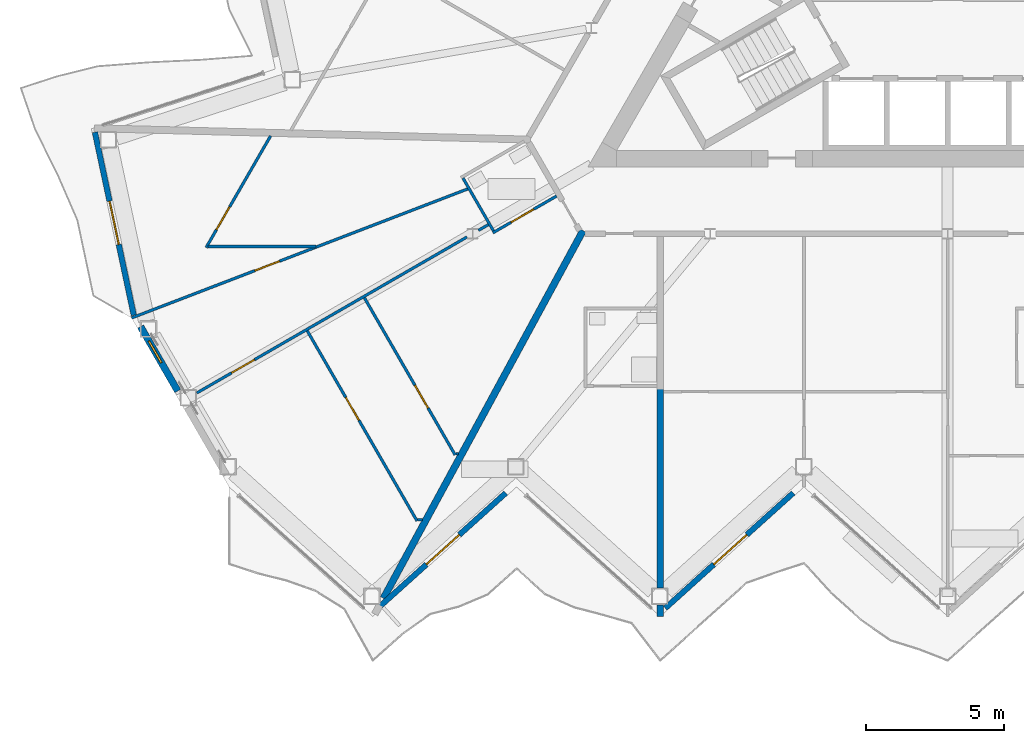
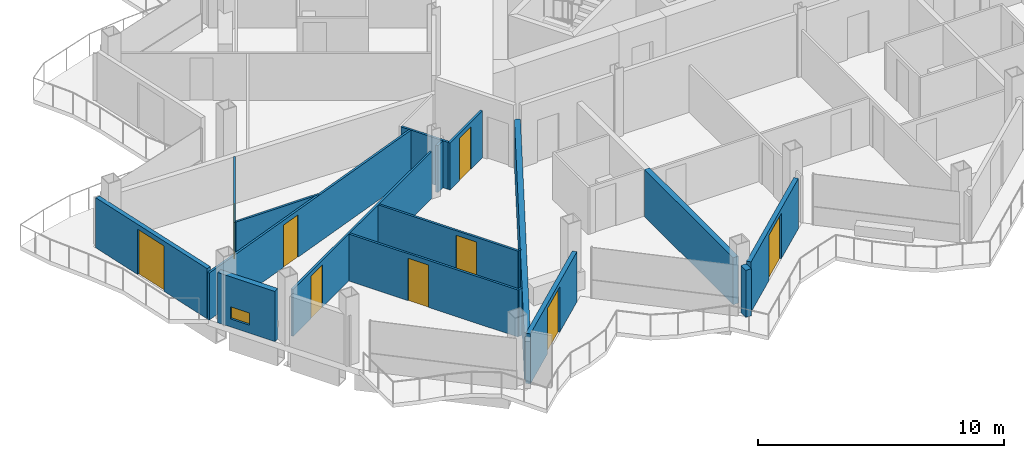
# One storey, part 13 of 28: 18 walls, 9 doors, 1 window, 10 openings.
"""IFC4 building model written with IfcOpenShell, lengths in metres."""

from ifc_helpers import new_model, si_unit, direction, frame, frame_2d, origin, place, context, subcontext, project, spatial, rectangle, extrude, material, layer, layer_set, type_object, element, fill, save


model = new_model("IFC4")

# Units and contexts
model_context = context("Model", 3, precision=1e-05, world=origin(), true_north=direction((0.0, 1.0)))
body_context = subcontext(model_context, "Body", "Model", "MODEL_VIEW")
ifc_project = project(units=[si_unit("LENGTHUNIT", "METRE"), si_unit("AREAUNIT", "SQUARE_METRE"), si_unit("VOLUMEUNIT", "CUBIC_METRE"), si_unit("PLANEANGLEUNIT", "RADIAN"), si_unit("MASSUNIT", "GRAM", prefix="KILO")], contexts=[model_context])

# Site, building, storey
site_placement = place(None, origin())
site = spatial("IfcSite", under=ifc_project, at=site_placement, CompositionType="ELEMENT")
building_placement = place(site_placement, origin())
building = spatial("IfcBuilding", under=site, at=building_placement, Name="Cormorant Prow Tower", CompositionType="ELEMENT")
storey_placement = place(building_placement, frame((0.0, 0.0, 301.800048828125)))
storey = spatial("IfcBuildingStorey", under=building, at=storey_placement, Name="L65", CompositionType="ELEMENT", Elevation=301.800048828125)

# Wall, opening, door
ifc_material_1 = material(Name="Gypsum board partition")
ifc_layer_1 = layer(ifc_material_1, 0.10009765625)
ifc_layer_set_1 = layer_set([ifc_layer_1], Name="Gypsum board partition")
wall_type_1 = type_object("IfcWallType", Name="Internal partition 100", PredefinedType="PARTITIONING", material=ifc_layer_set_1)
wall_1_placement = place(storey_placement, frame((-29.4794921875, -12.949951171875, 0.0), z_axis=(0.0, 0.0, 1.0), x_axis=(0.933581523131, 0.358365092703, 0.0)))
wall_1 = element("IfcWall", 1, at=wall_1_placement, inside=storey, type_object=wall_type_1, Name="Internal partition", PredefinedType="PARTITIONING", context=body_context, shape_type="SweptSolid", body=[
    extrude(rectangle(XDim=13.004638671875, YDim=0.10009765625, at=frame_2d((6.50244140625, 0.0))), origin(), (0.0, 0.0, 1.0), 2.330078125),
])
opening_1_placement = place(wall_1_placement, frame((4.771240234375, 0.0, 0.0)))
opening_1 = element("IfcOpeningElement", 2, at=opening_1_placement, cuts=wall_1, Name="Opening L65-F56", PredefinedType="OPENING", context=body_context, shape_type="SweptSolid", body=[
    extrude(rectangle(XDim=0.949951171875, YDim=2.10009765625, at=frame_2d((0.47509765625, 1.050048828125))), frame((0.0, 0.06005859375, 0.0), z_axis=(0.0, -1.0, 0.0), x_axis=(1.0, 0.0, 0.0)), (0.0, 0.0, 1.0), 0.1201171875),
])
ifc_material_2 = material(Name="Timber door leaf", Category="wood")
door_type_1 = type_object("IfcDoorType", Name="Bathroom door 950x2100", OperationType="NOTDEFINED", PredefinedType="DOOR", material=ifc_material_2)
door_1_placement = place(opening_1_placement, origin())
door_1 = element("IfcDoor", 3, at=door_1_placement, inside=storey, type_object=door_type_1, Name="Bedroom door", OperationType="SINGLE_SWING_LEFT", OverallHeight=2.10009765625, OverallWidth=0.949951171875, PredefinedType="DOOR", context=body_context, shape_type="SweptSolid", body=[
    extrude(rectangle(XDim=0.949951171875, YDim=2.10009765625, at=frame_2d((0.47509765625, 1.050048828125))), frame((0.0, 0.02490234375, 0.0), z_axis=(0.0, -1.0, 0.0), x_axis=(1.0, 0.0, 0.0)), (0.0, 0.0, 1.0), 0.050048828125),
])
fill(opening_1, door_1)

wall_2_placement = place(storey_placement, frame((-27.122314453125, -15.6591796875, 0.0), z_axis=(0.0, 0.0, 1.0), x_axis=(0.866021046153, 0.500007547564, 0.0)))
wall_2 = element("IfcWall", 4, at=wall_2_placement, inside=storey, type_object=wall_type_1, Name="Internal partition", PredefinedType="PARTITIONING", context=body_context, shape_type="SweptSolid", body=[
    extrude(rectangle(XDim=11.267333984375, YDim=0.10009765625, at=frame_2d((5.6337890625, 0.0))), origin(), (0.0, 0.0, 1.0), 2.330078125),
])
opening_2_placement = place(wall_2_placement, frame((1.4521484375, 0.0, 0.0)))
opening_2 = element("IfcOpeningElement", 5, at=opening_2_placement, cuts=wall_2, Name="Opening L65-F55", PredefinedType="OPENING", context=body_context, shape_type="SweptSolid", body=[
    extrude(rectangle(XDim=0.949951171875, YDim=2.10009765625, at=frame_2d((0.47509765625, 1.050048828125))), frame((0.0, 0.06005859375, 0.0), z_axis=(0.0, -1.0, 0.0), x_axis=(1.0, 0.0, 0.0)), (0.0, 0.0, 1.0), 0.1201171875),
])
door_2_placement = place(opening_2_placement, origin())
door_2 = element("IfcDoor", 6, at=door_2_placement, inside=storey, type_object=door_type_1, Name="Dining room door", OperationType="SINGLE_SWING_LEFT", OverallHeight=2.10009765625, OverallWidth=0.949951171875, PredefinedType="DOOR", context=body_context, shape_type="SweptSolid", body=[
    extrude(rectangle(XDim=0.949951171875, YDim=2.10009765625, at=frame_2d((0.47509765625, 1.050048828125))), frame((0.0, 0.02490234375, 0.0), z_axis=(0.0, -1.0, 0.0), x_axis=(1.0, 0.0, 0.0)), (0.0, 0.0, 1.0), 0.050048828125),
])
fill(opening_2, door_2)

wall_3_placement = place(storey_placement, frame((-23.1328125, -13.41357421875, 0.0), z_axis=(0.0, 0.0, 1.0), x_axis=(0.500014841469, -0.866016834889, 0.0)))
wall_3 = element("IfcWall", 7, at=wall_3_placement, inside=storey, type_object=wall_type_1, Name="Internal partition", PredefinedType="PARTITIONING", context=body_context, shape_type="SweptSolid", body=[
    extrude(rectangle(XDim=7.926513671875, YDim=0.10009765625, at=frame_2d((3.96337890625, 0.0))), origin(), (0.0, 0.0, 1.0), 2.330078125),
])
opening_3_placement = place(wall_3_placement, frame((2.780029296875, 0.0, 0.0)))
opening_3 = element("IfcOpeningElement", 8, at=opening_3_placement, cuts=wall_3, Name="Opening L65-F54", PredefinedType="OPENING", context=body_context, shape_type="SweptSolid", body=[
    extrude(rectangle(XDim=0.949951171875, YDim=2.10009765625, at=frame_2d((0.47509765625, 1.050048828125))), frame((0.0, 0.06005859375, 0.0), z_axis=(0.0, -1.0, 0.0), x_axis=(1.0, 0.0, 0.0)), (0.0, 0.0, 1.0), 0.1201171875),
])
door_3_placement = place(opening_3_placement, origin())
door_3 = element("IfcDoor", 9, at=door_3_placement, inside=storey, type_object=door_type_1, Name="Kitchen door", OperationType="SINGLE_SWING_LEFT", OverallHeight=2.10009765625, OverallWidth=0.949951171875, PredefinedType="DOOR", context=body_context, shape_type="SweptSolid", body=[
    extrude(rectangle(XDim=0.949951171875, YDim=2.10009765625, at=frame_2d((0.47509765625, 1.050048828125))), frame((0.0, 0.02490234375, 0.0), z_axis=(0.0, -1.0, 0.0), x_axis=(1.0, 0.0, 0.0)), (0.0, 0.0, 1.0), 0.050048828125),
])
fill(opening_3, door_3)

wall_4_placement = place(storey_placement, frame((-21.06884765625, -12.221923828125, 0.0), z_axis=(0.0, 0.0, 1.0), x_axis=(0.499991310556, -0.866030420579, 0.0)))
wall_4 = element("IfcWall", 10, at=wall_4_placement, inside=storey, type_object=wall_type_1, Name="Internal partition", PredefinedType="PARTITIONING", context=body_context, shape_type="SweptSolid", body=[
    extrude(rectangle(XDim=6.55029296875, YDim=0.10009765625, at=frame_2d((3.275146484375, 0.0))), origin(), (0.0, 0.0, 1.0), 2.330078125),
])
opening_4_placement = place(wall_4_placement, frame((3.650390625, 0.0, 0.0)))
opening_4 = element("IfcOpeningElement", 11, at=opening_4_placement, cuts=wall_4, Name="Opening L65-F53", PredefinedType="OPENING", context=body_context, shape_type="SweptSolid", body=[
    extrude(rectangle(XDim=0.949951171875, YDim=2.10009765625, at=frame_2d((0.47509765625, 1.050048828125))), frame((0.0, 0.06005859375, 0.0), z_axis=(0.0, -1.0, 0.0), x_axis=(1.0, 0.0, 0.0)), (0.0, 0.0, 1.0), 0.1201171875),
])
door_4_placement = place(opening_4_placement, origin())
door_4 = element("IfcDoor", 12, at=door_4_placement, inside=storey, type_object=door_type_1, Name="Living room door", OperationType="SINGLE_SWING_RIGHT", OverallHeight=2.10009765625, OverallWidth=0.949951171875, PredefinedType="DOOR", context=body_context, shape_type="SweptSolid", body=[
    extrude(rectangle(XDim=0.949951171875, YDim=2.10009765625, at=frame_2d((0.47509765625, 1.050048828125))), frame((0.0, 0.02490234375, 0.0), z_axis=(0.0, -1.0, 0.0), x_axis=(1.0, 0.0, 0.0)), (0.0, 0.0, 1.0), 0.050048828125),
])
fill(opening_4, door_4)

wall_5_placement = place(storey_placement, frame((-26.78759765625, -10.41015625, 0.0), z_axis=(0.0, 0.0, 1.0), x_axis=(0.499997484116, 0.866026856326, 0.0)))
wall_5 = element("IfcWall", 13, at=wall_5_placement, inside=storey, type_object=wall_type_1, Name="Internal partition", PredefinedType="PARTITIONING", context=body_context, shape_type="SweptSolid", body=[
    extrude(rectangle(XDim=4.66162109375, YDim=0.10009765625, at=frame_2d((2.330810546875, 0.0))), origin(), (0.0, 0.0, 1.0), 2.330078125),
])
opening_5_placement = place(wall_5_placement, frame((0.751708984375, 0.0, 0.0)))
opening_5 = element("IfcOpeningElement", 14, at=opening_5_placement, cuts=wall_5, Name="Opening L65-F57", PredefinedType="OPENING", context=body_context, shape_type="SweptSolid", body=[
    extrude(rectangle(XDim=0.949951171875, YDim=2.10009765625, at=frame_2d((0.47509765625, 1.050048828125))), frame((0.0, 0.06005859375, 0.0), z_axis=(0.0, -1.0, 0.0), x_axis=(1.0, 0.0, 0.0)), (0.0, 0.0, 1.0), 0.1201171875),
])
door_5_placement = place(opening_5_placement, origin())
door_5 = element("IfcDoor", 15, at=door_5_placement, inside=storey, type_object=door_type_1, Name="Bedroom door", OperationType="SINGLE_SWING_LEFT", OverallHeight=2.10009765625, OverallWidth=0.949951171875, PredefinedType="DOOR", context=body_context, shape_type="SweptSolid", body=[
    extrude(rectangle(XDim=0.949951171875, YDim=2.10009765625, at=frame_2d((0.47509765625, 1.050048828125))), frame((0.0, 0.02490234375, 0.0), z_axis=(0.0, -1.0, 0.0), x_axis=(1.0, 0.0, 0.0)), (0.0, 0.0, 1.0), 0.050048828125),
])
fill(opening_5, door_5)

# Wall
wall_6_placement = place(storey_placement, frame((-26.71240234375, -10.36669921875, 0.0), z_axis=(0.0, 0.0, 1.0), x_axis=(1.0, 0.0, 0.0)))
element("IfcWall", 16, at=wall_6_placement, inside=storey, type_object=wall_type_1, Name="Internal partition", PredefinedType="PARTITIONING", context=body_context, shape_type="SweptSolid", body=[
    extrude(rectangle(XDim=3.892578125, YDim=0.10009765625, at=frame_2d((1.9462890625, 0.0))), origin(), (0.0, 0.0, 1.0), 2.330078125),
])

# Wall, opening, door
wall_7_placement = place(storey_placement, frame((-16.425537109375, -9.872314453125, 0.0), z_axis=(0.0, 0.0, 1.0), x_axis=(0.866029095148, 0.499993606316, 0.0)))
wall_7 = element("IfcWall", 17, at=wall_7_placement, inside=storey, type_object=wall_type_1, Name="Internal partition", PredefinedType="PARTITIONING", context=body_context, shape_type="SweptSolid", body=[
    extrude(rectangle(XDim=2.64990234375, YDim=0.10009765625, at=frame_2d((1.324951171875, 0.0))), origin(), (0.0, 0.0, 1.0), 2.330078125),
])
opening_6_placement = place(wall_7_placement, frame((0.75, 0.0, 0.0)))
opening_6 = element("IfcOpeningElement", 18, at=opening_6_placement, cuts=wall_7, Name="Opening L65-F52", PredefinedType="OPENING", context=body_context, shape_type="SweptSolid", body=[
    extrude(rectangle(XDim=0.949951171875, YDim=2.10009765625, at=frame_2d((0.47509765625, 1.050048828125))), frame((0.0, 0.06005859375, 0.0), z_axis=(0.0, -1.0, 0.0), x_axis=(1.0, 0.0, 0.0)), (0.0, 0.0, 1.0), 0.1201171875),
])
door_6_placement = place(opening_6_placement, origin())
door_6 = element("IfcDoor", 19, at=door_6_placement, inside=storey, type_object=door_type_1, Name="Living room door", OperationType="SINGLE_SWING_LEFT", OverallHeight=2.10009765625, OverallWidth=0.949951171875, PredefinedType="DOOR", context=body_context, shape_type="SweptSolid", body=[
    extrude(rectangle(XDim=0.949951171875, YDim=2.10009765625, at=frame_2d((0.47509765625, 1.050048828125))), frame((0.0, 0.02490234375, 0.0), z_axis=(0.0, -1.0, 0.0), x_axis=(1.0, 0.0, 0.0)), (0.0, 0.0, 1.0), 0.050048828125),
])
fill(opening_6, door_6)

# Walls
wall_8_placement = place(storey_placement, frame((-17.507080078125, -7.89892578125, 0.0), z_axis=(0.0, 0.0, 1.0), x_axis=(0.499946605688, -0.86605622881, 0.0)))
element("IfcWall", 20, at=wall_8_placement, inside=storey, type_object=wall_type_1, Name="Internal partition", PredefinedType="PARTITIONING", context=body_context, shape_type="SweptSolid", body=[
    extrude(rectangle(XDim=2.199951171875, YDim=0.10009765625, at=frame_2d((1.10009765625, 0.0))), origin(), (0.0, 0.0, 1.0), 2.330078125),
])
wall_9_placement = place(storey_placement, frame((-16.94921875, -9.78564453125, 0.0), z_axis=(0.0, 0.0, 1.0), x_axis=(0.866036909293, 0.499980071345, 0.0)))
element("IfcWall", 21, at=wall_9_placement, inside=storey, type_object=wall_type_1, Name="Internal partition", PredefinedType="PARTITIONING", context=body_context, shape_type="SweptSolid", body=[
    extrude(rectangle(XDim=0.41015625, YDim=0.10009765625, at=frame_2d((0.205078125, 0.0))), origin(), (0.0, 0.0, 1.0), 2.330078125),
])
wall_10_placement = place(storey_placement, frame((-19.14453125, -20.23486328125, 0.0), z_axis=(0.0, 0.0, 1.0), x_axis=(1.0, 0.0, 0.0)))
element("IfcWall", 22, at=wall_10_placement, inside=storey, type_object=wall_type_1, Name="Internal partition", PredefinedType="PARTITIONING", context=body_context, shape_type="SweptSolid", body=[
    extrude(rectangle(XDim=0.18017578125, YDim=0.10009765625, at=frame_2d((0.090087890625, 0.0))), origin(), (0.0, 0.0, 1.0), 2.330078125),
])
wall_11_placement = place(storey_placement, frame((-17.7685546875, -17.8515625, 0.0), z_axis=(0.0, 0.0, 1.0), x_axis=(1.0, 0.0, 0.0)))
element("IfcWall", 23, at=wall_11_placement, inside=storey, type_object=wall_type_1, Name="Internal partition", PredefinedType="PARTITIONING", context=body_context, shape_type="SweptSolid", body=[
    extrude(rectangle(XDim=0.09814453125, YDim=0.10009765625, at=frame_2d((0.049072265625, 0.0))), origin(), (0.0, 0.0, 1.0), 2.330078125),
])
ifc_material_3 = material(Name="Acoustic gypsum party wall")
ifc_layer_2 = layer(ifc_material_3, 0.25)
ifc_layer_set_2 = layer_set([ifc_layer_2], Name="Acoustic gypsum party wall")
wall_type_2 = type_object("IfcWallType", Name="Suite party wall 250", PredefinedType="PARTITIONING", material=ifc_layer_set_2)
wall_12_placement = place(storey_placement, frame((-20.38330078125, -23.078125, 0.0), z_axis=(0.0, 0.0, 1.0), x_axis=(0.477177412766, 0.878806984921, 0.0)))
element("IfcWall", 24, at=wall_12_placement, inside=storey, type_object=wall_type_2, Name="Suite party wall", PredefinedType="PARTITIONING", context=body_context, shape_type="SweptSolid", body=[
    extrude(rectangle(XDim=15.1142578125, YDim=0.25, at=frame_2d((7.55712890625, 0.0))), origin(), (0.0, 0.0, 1.0), 2.330078125),
])
wall_13_placement = place(storey_placement, frame((-10.3818359375, -22.697998046875, 0.0), z_axis=(0.0, 0.0, 1.0), x_axis=(0.0, 1.0, 0.0)))
element("IfcWall", 25, at=wall_13_placement, inside=storey, type_object=wall_type_2, Name="Suite party wall", PredefinedType="PARTITIONING", context=body_context, shape_type="SweptSolid", body=[
    extrude(rectangle(XDim=7.220458984375, YDim=0.25, at=frame_2d((3.6103515625, 0.0))), origin(), (0.0, 0.0, 1.0), 2.330078125),
])
wall_14_placement = place(storey_placement, frame((-10.3818359375, -23.72900390625, 0.0), z_axis=(0.0, 0.0, 1.0), x_axis=(0.0, 1.0, 0.0)))
element("IfcWall", 26, at=wall_14_placement, inside=storey, type_object=wall_type_2, Name="Suite party wall", PredefinedType="PARTITIONING", context=body_context, shape_type="SweptSolid", body=[
    extrude(rectangle(XDim=0.410888671875, YDim=0.25, at=frame_2d((0.20556640625, 0.0))), origin(), (0.0, 0.0, 1.0), 2.330078125),
])

# Wall, opening, window
ifc_material_4 = material(Name="Terracotta", Category="masonry")
ifc_layer_3 = layer(ifc_material_4, 0.25)
ifc_layer_set_3 = layer_set([ifc_layer_3], Name="Terracotta")
wall_type_3 = type_object("IfcWallType", Name="Terracotta bay wall 250", PredefinedType="SOLIDWALL", material=ifc_layer_set_3)
wall_15_placement = place(storey_placement, frame((-29.154296875, -13.263427734375, 0.0), z_axis=(0.0, 0.0, 1.0), x_axis=(0.500032109083, -0.866006864803, 0.0)))
wall_15 = element("IfcWall", 27, at=wall_15_placement, inside=storey, type_object=wall_type_3, Name="Terracotta bay wall WSW00", PredefinedType="SOLIDWALL", context=body_context, shape_type="SweptSolid", body=[
    extrude(rectangle(XDim=2.684326171875, YDim=0.25, at=frame_2d((1.34228515625, 0.0))), origin(), (0.0, 0.0, 1.0), 2.48779296875),
])
opening_7_placement = place(wall_15_placement, frame((0.60009765625, 0.0, 0.39990234375)))
opening_7 = element("IfcOpeningElement", 28, at=opening_7_placement, cuts=wall_15, Name="Opening WN7", PredefinedType="OPENING", context=body_context, shape_type="SweptSolid", body=[
    extrude(rectangle(XDim=0.89990234375, YDim=0.60009765625, at=frame_2d((0.449951171875, 0.300048828125))), frame((0.0, 0.135009765625, 0.0), z_axis=(0.0, -1.0, 0.0), x_axis=(1.0, 0.0, 0.0)), (0.0, 0.0, 1.0), 0.27001953125),
])
ifc_material_5 = material(Name="Aluminium 6063-T6", Category="aluminium")
window_type = type_object("IfcWindowType", Name="Corner bay window 900x600", PartitioningType="SINGLE_PANEL", PredefinedType="WINDOW", material=ifc_material_5)
window_placement = place(opening_7_placement, origin())
window = element("IfcWindow", 29, at=window_placement, inside=storey, type_object=window_type, Name="Corner bay window WSW00", OverallHeight=0.60009765625, OverallWidth=0.89990234375, PartitioningType="SINGLE_PANEL", PredefinedType="WINDOW", context=body_context, shape_type="SweptSolid", body=[
    extrude(rectangle(XDim=0.89990234375, YDim=0.60009765625, at=frame_2d((0.449951171875, 0.300048828125))), frame((0.0, 0.030029296875, 0.0), z_axis=(0.0, -1.0, 0.0), x_axis=(1.0, 0.0, 0.0)), (0.0, 0.0, 1.0), 0.06005859375),
])
fill(opening_7, window)

# Wall, opening, door
ifc_material_6 = material(Name="Terracotta", Category="masonry")
ifc_layer_4 = layer(ifc_material_6, 0.199951171875)
ifc_layer_set_4 = layer_set([ifc_layer_4], Name="Terracotta")
wall_type_4 = type_object("IfcWallType", Name="Terracotta jamb wall 200", PredefinedType="SOLIDWALL", material=ifc_layer_set_4)
wall_16_placement = place(storey_placement, frame((-20.508056640625, -23.3642578125, 0.0), z_axis=(0.0, 0.0, 1.0), x_axis=(0.743135364919, 0.669141113224, 0.0)))
wall_16 = element("IfcWall", 30, at=wall_16_placement, inside=storey, type_object=wall_type_4, Name="Terracotta jamb wall S01", PredefinedType="SOLIDWALL", context=body_context, shape_type="SweptSolid", body=[
    extrude(rectangle(XDim=6.1171875, YDim=0.199951171875, at=frame_2d((3.05859375, 0.0))), origin(), (0.0, 0.0, 1.0), 2.48779296875),
])
opening_8_placement = place(wall_16_placement, frame((2.258544921875, 0.0, 0.0)))
opening_8 = element("IfcOpeningElement", 31, at=opening_8_placement, cuts=wall_16, Name="Opening ED65.01", PredefinedType="OPENING", context=body_context, shape_type="SweptSolid", body=[
    extrude(rectangle(XDim=1.60009765625, YDim=2.25, at=frame_2d((0.800048828125, 1.125))), frame((0.0, 0.10986328125, 0.0), z_axis=(0.0, -1.0, 0.0), x_axis=(1.0, 0.0, 0.0)), (0.0, 0.0, 1.0), 0.219970703125),
])
ifc_material_7 = material(Name="Aluminium 6063-T6", Category="aluminium")
door_type_2 = type_object("IfcDoorType", Name="Balcony door 1600x2250", OperationType="DOUBLE_DOOR_SINGLE_SWING", PredefinedType="DOOR", material=ifc_material_7)
door_7_placement = place(opening_8_placement, origin())
door_7 = element("IfcDoor", 32, at=door_7_placement, inside=storey, type_object=door_type_2, Name="Balcony door S01 ED65.01", OperationType="DOUBLE_DOOR_SINGLE_SWING", OverallHeight=2.25, OverallWidth=1.60009765625, PredefinedType="DOOR", context=body_context, shape_type="SweptSolid", body=[
    extrude(rectangle(XDim=1.60009765625, YDim=2.25, at=frame_2d((0.800048828125, 1.125))), frame((0.0, 0.02490234375, 0.0), z_axis=(0.0, -1.0, 0.0), x_axis=(1.0, 0.0, 0.0)), (0.0, 0.0, 1.0), 0.050048828125),
])
fill(opening_8, door_7)

wall_17_placement = place(storey_placement, frame((-10.203369140625, -23.43359375, 0.0), z_axis=(0.0, 0.0, 1.0), x_axis=(0.74314582041, 0.669129501373, 0.0)))
wall_17 = element("IfcWall", 33, at=wall_17_placement, inside=storey, type_object=wall_type_4, Name="Terracotta jamb wall S03", PredefinedType="SOLIDWALL", context=body_context, shape_type="SweptSolid", body=[
    extrude(rectangle(XDim=6.220947265625, YDim=0.199951171875, at=frame_2d((3.1103515625, 0.0))), origin(), (0.0, 0.0, 1.0), 2.48779296875),
])
opening_9_placement = place(wall_17_placement, frame((2.3623046875, 0.0, 0.0)))
opening_9 = element("IfcOpeningElement", 34, at=opening_9_placement, cuts=wall_17, Name="Opening ED65.02", PredefinedType="OPENING", context=body_context, shape_type="SweptSolid", body=[
    extrude(rectangle(XDim=1.60009765625, YDim=2.25, at=frame_2d((0.800048828125, 1.125))), frame((0.0, 0.10986328125, 0.0), z_axis=(0.0, -1.0, 0.0), x_axis=(1.0, 0.0, 0.0)), (0.0, 0.0, 1.0), 0.219970703125),
])
door_8_placement = place(opening_9_placement, origin())
door_8 = element("IfcDoor", 35, at=door_8_placement, inside=storey, type_object=door_type_2, Name="Balcony door S03 ED65.02", OperationType="DOUBLE_DOOR_SINGLE_SWING", OverallHeight=2.25, OverallWidth=1.60009765625, PredefinedType="DOOR", context=body_context, shape_type="SweptSolid", body=[
    extrude(rectangle(XDim=1.60009765625, YDim=2.25, at=frame_2d((0.800048828125, 1.125))), frame((0.0, 0.02490234375, 0.0), z_axis=(0.0, -1.0, 0.0), x_axis=(1.0, 0.0, 0.0)), (0.0, 0.0, 1.0), 0.050048828125),
])
fill(opening_9, door_8)

wall_18_placement = place(storey_placement, frame((-30.80322265625, -6.24072265625, 0.0), z_axis=(0.0, 0.0, 1.0), x_axis=(0.207917941651, -0.978146272057, 0.0)))
wall_18 = element("IfcWall", 36, at=wall_18_placement, inside=storey, type_object=wall_type_4, Name="Terracotta jamb wall WNW09", PredefinedType="SOLIDWALL", context=body_context, shape_type="SweptSolid", body=[
    extrude(rectangle(XDim=6.7587890625, YDim=0.199951171875, at=frame_2d((3.37939453125, 0.0))), origin(), (0.0, 0.0, 1.0), 2.48779296875),
])
opening_10_placement = place(wall_18_placement, frame((2.54541015625, 0.0, 0.0)))
opening_10 = element("IfcOpeningElement", 37, at=opening_10_placement, cuts=wall_18, Name="Opening ED65.15", PredefinedType="OPENING", context=body_context, shape_type="SweptSolid", body=[
    extrude(rectangle(XDim=1.60009765625, YDim=2.25, at=frame_2d((0.800048828125, 1.125))), frame((0.0, 0.10986328125, 0.0), z_axis=(0.0, -1.0, 0.0), x_axis=(1.0, 0.0, 0.0)), (0.0, 0.0, 1.0), 0.219970703125),
])
door_9_placement = place(opening_10_placement, origin())
door_9 = element("IfcDoor", 38, at=door_9_placement, inside=storey, type_object=door_type_2, Name="Balcony door WNW09 ED65.15", OperationType="DOUBLE_DOOR_SINGLE_SWING", OverallHeight=2.25, OverallWidth=1.60009765625, PredefinedType="DOOR", context=body_context, shape_type="SweptSolid", body=[
    extrude(rectangle(XDim=1.60009765625, YDim=2.25, at=frame_2d((0.800048828125, 1.125))), frame((0.0, 0.02490234375, 0.0), z_axis=(0.0, -1.0, 0.0), x_axis=(1.0, 0.0, 0.0)), (0.0, 0.0, 1.0), 0.050048828125),
])
fill(opening_10, door_9)

save(model, "model.ifc")
